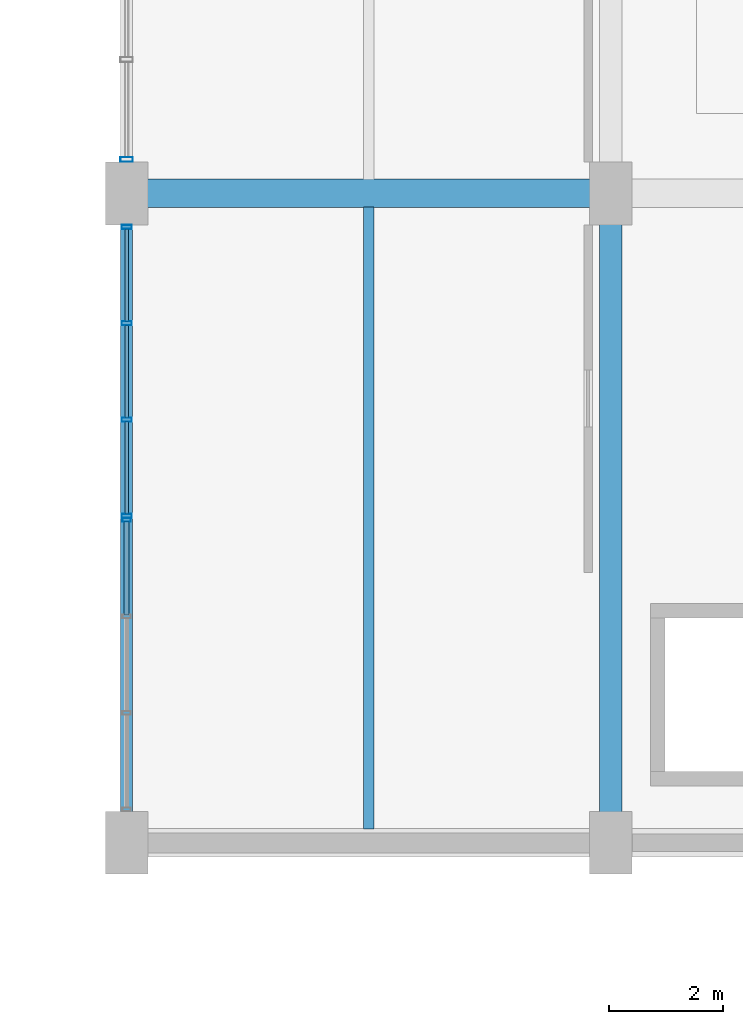
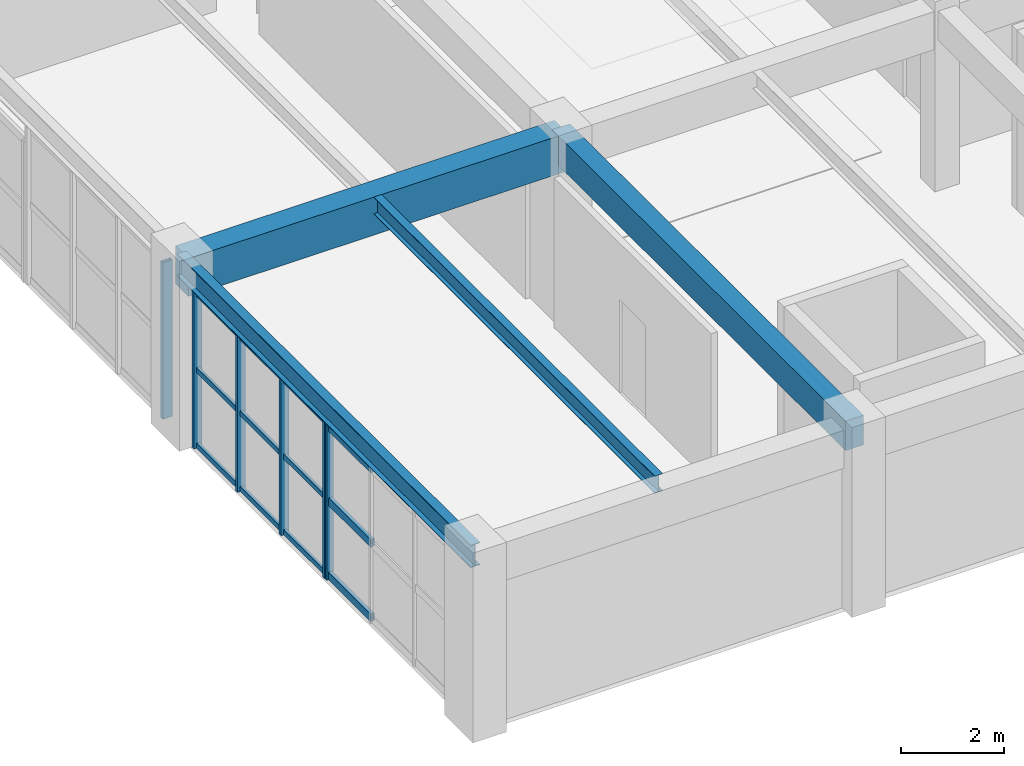
# One storey, part 20 of 80: 18 members, 4 beams, 3 elements without a shape of their own.
"""IFC4 building model written with IfcOpenShell, lengths in metres."""

from ifc_helpers import new_model, si_unit, direction, frame, origin, origin_2d, place, context, subcontext, project, spatial, rectangle, hollow_rectangle, i_section, extrude, material, layer, layer_set, material_profile, profile_set, type_object, element, aggregate, save


model = new_model("IFC4")

# Units and contexts
model_context = context("Model", 3, precision=1e-05, world=origin(), true_north=direction((0.0, 1.0)))
body_context = subcontext(model_context, "Body", "Model", "MODEL_VIEW")
ifc_project = project(units=[si_unit("LENGTHUNIT", "METRE"), si_unit("AREAUNIT", "SQUARE_METRE"), si_unit("VOLUMEUNIT", "CUBIC_METRE"), si_unit("PLANEANGLEUNIT", "RADIAN"), si_unit("MASSUNIT", "GRAM", prefix="KILO"), si_unit("POWERUNIT", "WATT"), si_unit("THERMODYNAMICTEMPERATUREUNIT", "KELVIN")], contexts=[model_context])

# Site, building, storey
site_placement = place(None, origin())
site = spatial("IfcSite", under=ifc_project, at=site_placement, CompositionType="ELEMENT")
building_placement = place(site_placement, origin())
building = spatial("IfcBuilding", under=site, at=building_placement, Name="Kelmbourne Parkland Aquatics Centre", CompositionType="ELEMENT")
storey_placement = place(building_placement, frame((0.0, 0.0, 10.199951171875)))
storey = spatial("IfcBuildingStorey", under=building, at=storey_placement, Name="L02", CompositionType="ELEMENT", Elevation=10.199951171875)

# Beams
ifc_material_1 = material(Name="Concrete C40/50", Category="concrete")
ifc_material_profile_1 = material_profile(ifc_material_1, rectangle(XDim=0.5, YDim=0.89990234375, at=origin_2d()), Name="RC 500x900")
ifc_profile_set_1 = profile_set([ifc_material_profile_1], Name="Concrete C40/50")
beam_type_1 = type_object("IfcBeamType", Name="BM-G03", PredefinedType="BEAM", material=ifc_profile_set_1)
beam_1_placement = place(storey_placement, frame((102.0, 23.60009765625, 3.81005859375), z_axis=(1.0, 0.0, 0.0), x_axis=(0.0, 1.0, 0.0)))
element("IfcBeam", 1, at=beam_1_placement, inside=storey, type_object=beam_type_1, Name="Primary girder M-N Grid 04 (L03)", PredefinedType="BEAM", context=body_context, shape_type="SweptSolid", body=[
    extrude(rectangle(XDim=0.5, YDim=0.89990234375, at=origin_2d()), origin(), (0.0, 0.0, 1.0), 8.5),
])
ifc_material_profile_2 = material_profile(ifc_material_1, rectangle(XDim=0.39990234375, YDim=0.699951171875, at=origin_2d()), Name="RC 400x700")
ifc_profile_set_2 = profile_set([ifc_material_profile_2], Name="Concrete C40/50")
beam_type_2 = type_object("IfcBeamType", Name="BM-G05", PredefinedType="BEAM", material=ifc_profile_set_2)
beam_2_placement = place(storey_placement, frame((110.5, 12.199951171875, 3.91015625), z_axis=(0.0, 1.0, 0.0), x_axis=(-1.0, 0.0, 0.0)))
element("IfcBeam", 2, at=beam_2_placement, inside=storey, type_object=beam_type_2, Name="Primary girder 03-04 Grid N (L03)", PredefinedType="BEAM", context=body_context, shape_type="SweptSolid", body=[
    extrude(rectangle(XDim=0.39990234375, YDim=0.699951171875, at=origin_2d()), origin(), (0.0, 0.0, 1.0), 11.400146484375),
])
ifc_material_2 = material(Name="Structural steel AS/NZS 3679.1 Grade 300", Category="steel")
ifc_material_profile_3 = material_profile(ifc_material_2, i_section(OverallWidth=0.177978515625, OverallDepth=0.406005859375, WebThickness=0.0078125, FlangeThickness=0.0126953125, at=origin_2d()), Name="410UB59.7")
ifc_profile_set_3 = profile_set([ifc_material_profile_3], Name="Structural steel AS/NZS 3679.1 Grade 300")
beam_type_3 = type_object("IfcBeamType", Name="BM-J01", PredefinedType="JOIST", material=ifc_profile_set_3)
beam_3_placement = place(storey_placement, frame((106.25, 12.44189453125, 4.05712890625), z_axis=(0.0, 1.0, 0.0), x_axis=(-1.0, 0.0, 0.0)))
element("IfcBeam", 3, at=beam_3_placement, inside=storey, type_object=beam_type_3, Name="Secondary floor joist M-N/03-04 #1 (L03)", PredefinedType="JOIST", context=body_context, shape_type="SweptSolid", body=[
    extrude(i_section(OverallWidth=0.177978515625, OverallDepth=0.406005859375, WebThickness=0.0078125, FlangeThickness=0.0126953125, at=origin_2d()), origin(), (0.0, 0.0, 1.0), 10.916015625),
])
ifc_material_profile_4 = material_profile(ifc_material_2, i_section(OverallWidth=0.208984375, OverallDepth=0.532958984375, WebThickness=0.01025390625, FlangeThickness=0.015625, at=origin_2d()), Name="530UB92.4")
ifc_profile_set_4 = profile_set([ifc_material_profile_4], Name="Structural steel AS/NZS 3679.1 Grade 300")
beam_type_4 = type_object("IfcBeamType", Name="BM-SP02", PredefinedType="SPANDREL", material=ifc_profile_set_4)
beam_4_placement = place(storey_placement, frame((102.0, 12.199951171875, 3.99365234375), z_axis=(0.0, 1.0, 0.0), x_axis=(-1.0, 0.0, 0.0)))
element("IfcBeam", 4, at=beam_4_placement, inside=storey, type_object=beam_type_4, Name="Perimeter spandrel 03-04 Grid M (L03)", PredefinedType="SPANDREL", context=body_context, shape_type="SweptSolid", body=[
    extrude(i_section(OverallWidth=0.208984375, OverallDepth=0.532958984375, WebThickness=0.01025390625, FlangeThickness=0.015625, at=origin_2d()), origin(), (0.0, 0.0, 1.0), 11.400146484375),
])

# Curtain wall, member
ifc_material_3 = material(Name="Thermally broken anodised aluminium framing", Category="aluminium")
ifc_layer_1 = layer(ifc_material_3, 0.179931640625)
ifc_layer_set_1 = layer_set([ifc_layer_1], Name="Thermally broken anodised aluminium framing")
curtain_wall_type_1 = type_object("IfcCurtainWallType", Name="CW-08", PredefinedType="NOTDEFINED", material=ifc_layer_set_1)
curtain_wall_1_placement = place(storey_placement, origin())
curtain_wall_1 = element("IfcCurtainWall", 5, at=curtain_wall_1_placement, inside=storey, type_object=curtain_wall_type_1, Name="Facade curtain wall CW-L02-200", PredefinedType="NOTDEFINED")
ifc_material_profile_5 = material_profile(ifc_material_3, hollow_rectangle(XDim=0.06494140625, YDim=0.14990234375, WallThickness=0.00390625, at=origin_2d()), Name="CW-M 65x150")
ifc_profile_set_5 = profile_set([ifc_material_profile_5], Name="Thermally broken anodised aluminium framing")
member_type_1 = type_object("IfcMemberType", Name="MB-MUL-1", PredefinedType="MULLION", material=ifc_profile_set_5)
member_1_placement = place(storey_placement, frame((102.0, 17.867431640625, 0.0), z_axis=(0.0, 0.0, 1.0), x_axis=(0.0, 1.0, 0.0)))
member_1 = element("IfcMember", 6, at=member_1_placement, type_object=member_type_1, Name="CW-L02-200 mullion 3", PredefinedType="MULLION", context=body_context, shape_type="SweptSolid", body=[
    extrude(hollow_rectangle(XDim=0.06494140625, YDim=0.14990234375, WallThickness=0.00390625, at=origin_2d()), origin(), (0.0, 0.0, 1.0), 3.712158203125),
])

# Curtain wall, members
ifc_layer_2 = layer(ifc_material_3, 0.179931640625)
ifc_layer_set_2 = layer_set([ifc_layer_2], Name="Thermally broken anodised aluminium framing")
curtain_wall_type_2 = type_object("IfcCurtainWallType", Name="CW-09", PredefinedType="NOTDEFINED", material=ifc_layer_set_2)
curtain_wall_2_placement = place(storey_placement, origin())
curtain_wall_2 = element("IfcCurtainWall", 7, at=curtain_wall_2_placement, inside=storey, type_object=curtain_wall_type_2, Name="Facade curtain wall CW-L02-201", PredefinedType="NOTDEFINED")
ifc_material_profile_6 = material_profile(ifc_material_3, hollow_rectangle(XDim=0.074951171875, YDim=0.179931640625, WallThickness=0.00439453125, at=origin_2d()), Name="CW-M 75x180")
ifc_profile_set_6 = profile_set([ifc_material_profile_6], Name="Thermally broken anodised aluminium framing")
member_type_2 = type_object("IfcMemberType", Name="MB-MUL-2", PredefinedType="MULLION", material=ifc_profile_set_6)
member_2_placement = place(storey_placement, frame((102.0, 17.9375, 0.0), z_axis=(0.0, 0.0, 1.0), x_axis=(0.0, 1.0, 0.0)))
member_2 = element("IfcMember", 8, at=member_2_placement, type_object=member_type_2, Name="CW-L02-201 mullion 0", PredefinedType="MULLION", context=body_context, shape_type="SweptSolid", body=[
    extrude(hollow_rectangle(XDim=0.074951171875, YDim=0.179931640625, WallThickness=0.00439453125, at=origin_2d()), origin(), (0.0, 0.0, 1.0), 3.712158203125),
])
member_3_placement = place(storey_placement, frame((102.0, 19.62841796875, 0.0), z_axis=(0.0, 0.0, 1.0), x_axis=(0.0, 1.0, 0.0)))
member_3 = element("IfcMember", 9, at=member_3_placement, type_object=member_type_2, Name="CW-L02-201 mullion 1", PredefinedType="MULLION", context=body_context, shape_type="SweptSolid", body=[
    extrude(hollow_rectangle(XDim=0.074951171875, YDim=0.179931640625, WallThickness=0.00439453125, at=origin_2d()), origin(), (0.0, 0.0, 1.0), 3.712158203125),
])
member_4_placement = place(storey_placement, frame((102.0, 21.319580078125, 0.0), z_axis=(0.0, 0.0, 1.0), x_axis=(0.0, 1.0, 0.0)))
member_4 = element("IfcMember", 10, at=member_4_placement, type_object=member_type_2, Name="CW-L02-201 mullion 2", PredefinedType="MULLION", context=body_context, shape_type="SweptSolid", body=[
    extrude(hollow_rectangle(XDim=0.074951171875, YDim=0.179931640625, WallThickness=0.00439453125, at=origin_2d()), origin(), (0.0, 0.0, 1.0), 3.712158203125),
])
member_5_placement = place(storey_placement, frame((102.0, 23.010498046875, 0.0), z_axis=(0.0, 0.0, 1.0), x_axis=(0.0, 1.0, 0.0)))
member_5 = element("IfcMember", 11, at=member_5_placement, type_object=member_type_2, Name="CW-L02-201 mullion 3", PredefinedType="MULLION", context=body_context, shape_type="SweptSolid", body=[
    extrude(hollow_rectangle(XDim=0.074951171875, YDim=0.179931640625, WallThickness=0.00439453125, at=origin_2d()), origin(), (0.0, 0.0, 1.0), 3.712158203125),
])

# Curtain wall, member
ifc_layer_3 = layer(ifc_material_3, 0.179931640625)
ifc_layer_set_3 = layer_set([ifc_layer_3], Name="Thermally broken anodised aluminium framing")
curtain_wall_type_3 = type_object("IfcCurtainWallType", Name="CW-10", PredefinedType="NOTDEFINED", material=ifc_layer_set_3)
curtain_wall_3_placement = place(storey_placement, origin())
curtain_wall_3 = element("IfcCurtainWall", 12, at=curtain_wall_3_placement, inside=storey, type_object=curtain_wall_type_3, Name="Facade curtain wall CW-L02-202", PredefinedType="NOTDEFINED")
ifc_material_profile_7 = material_profile(ifc_material_3, hollow_rectangle(XDim=0.0849609375, YDim=0.219970703125, WallThickness=0.0048828125, at=origin_2d()), Name="CW-M 85x220")
ifc_profile_set_7 = profile_set([ifc_material_profile_7], Name="Thermally broken anodised aluminium framing")
member_type_3 = type_object("IfcMemberType", Name="MB-MUL-3", PredefinedType="MULLION", material=ifc_profile_set_7)
member_6_placement = place(storey_placement, frame((102.0, 24.194580078125, 0.0), z_axis=(0.0, 0.0, 1.0), x_axis=(0.0, 1.0, 0.0)))
member_6 = element("IfcMember", 13, at=member_6_placement, type_object=member_type_3, Name="CW-L02-202 mullion 0", PredefinedType="MULLION", context=body_context, shape_type="SweptSolid", body=[
    extrude(hollow_rectangle(XDim=0.0849609375, YDim=0.219970703125, WallThickness=0.0048828125, at=origin_2d()), origin(), (0.0, 0.0, 1.0), 3.712158203125),
])
aggregate(curtain_wall_3, [member_6])

# Member
ifc_material_profile_8 = material_profile(ifc_material_3, hollow_rectangle(XDim=0.06494140625, YDim=0.1201171875, WallThickness=0.00341796875, at=origin_2d()), Name="CW-T 65x120")
ifc_profile_set_8 = profile_set([ifc_material_profile_8], Name="Thermally broken anodised aluminium framing")
member_type_4 = type_object("IfcMemberType", Name="MB-TRN-1", PredefinedType="USERDEFINED", material=ifc_profile_set_8)
member_7_placement = place(storey_placement, frame((102.0, 17.970947265625, 0.06298828125), z_axis=(0.0, 1.0, 0.0), x_axis=(-1.0, 0.0, 0.0)))
member_7 = element("IfcMember", 14, at=member_7_placement, type_object=member_type_4, Name="CW-L02-201 transom 0-0", ObjectType="TRANSOM", PredefinedType="USERDEFINED", context=body_context, shape_type="SweptSolid", body=[
    extrude(hollow_rectangle(XDim=0.06494140625, YDim=0.1201171875, WallThickness=0.00341796875, at=origin_2d()), origin(), (0.0, 0.0, 1.0), 1.6240234375),
])

member_8_placement = place(storey_placement, frame((102.0, 19.662109375, 0.06298828125), z_axis=(0.0, 1.0, 0.0), x_axis=(-1.0, 0.0, 0.0)))
member_8 = element("IfcMember", 15, at=member_8_placement, type_object=member_type_4, Name="CW-L02-201 transom 0-1", ObjectType="TRANSOM", PredefinedType="USERDEFINED", context=body_context, shape_type="SweptSolid", body=[
    extrude(hollow_rectangle(XDim=0.06494140625, YDim=0.1201171875, WallThickness=0.00341796875, at=origin_2d()), origin(), (0.0, 0.0, 1.0), 1.623779296875),
])

member_9_placement = place(storey_placement, frame((102.0, 21.35302734375, 0.06298828125), z_axis=(0.0, 1.0, 0.0), x_axis=(-1.0, 0.0, 0.0)))
member_9 = element("IfcMember", 16, at=member_9_placement, type_object=member_type_4, Name="CW-L02-201 transom 0-2", ObjectType="TRANSOM", PredefinedType="USERDEFINED", context=body_context, shape_type="SweptSolid", body=[
    extrude(hollow_rectangle(XDim=0.06494140625, YDim=0.1201171875, WallThickness=0.00341796875, at=origin_2d()), origin(), (0.0, 0.0, 1.0), 1.6240234375),
])

member_10_placement = place(storey_placement, frame((102.0, 17.970947265625, 1.85595703125), z_axis=(0.0, 1.0, 0.0), x_axis=(-1.0, 0.0, 0.0)))
member_10 = element("IfcMember", 17, at=member_10_placement, type_object=member_type_4, Name="CW-L02-201 transom 1-0", ObjectType="TRANSOM", PredefinedType="USERDEFINED", context=body_context, shape_type="SweptSolid", body=[
    extrude(hollow_rectangle(XDim=0.06494140625, YDim=0.1201171875, WallThickness=0.00341796875, at=origin_2d()), origin(), (0.0, 0.0, 1.0), 1.6240234375),
])

member_11_placement = place(storey_placement, frame((102.0, 19.662109375, 1.85595703125), z_axis=(0.0, 1.0, 0.0), x_axis=(-1.0, 0.0, 0.0)))
member_11 = element("IfcMember", 18, at=member_11_placement, type_object=member_type_4, Name="CW-L02-201 transom 1-1", ObjectType="TRANSOM", PredefinedType="USERDEFINED", context=body_context, shape_type="SweptSolid", body=[
    extrude(hollow_rectangle(XDim=0.06494140625, YDim=0.1201171875, WallThickness=0.00341796875, at=origin_2d()), origin(), (0.0, 0.0, 1.0), 1.623779296875),
])

member_12_placement = place(storey_placement, frame((102.0, 21.35302734375, 1.85595703125), z_axis=(0.0, 1.0, 0.0), x_axis=(-1.0, 0.0, 0.0)))
member_12 = element("IfcMember", 19, at=member_12_placement, type_object=member_type_4, Name="CW-L02-201 transom 1-2", ObjectType="TRANSOM", PredefinedType="USERDEFINED", context=body_context, shape_type="SweptSolid", body=[
    extrude(hollow_rectangle(XDim=0.06494140625, YDim=0.1201171875, WallThickness=0.00341796875, at=origin_2d()), origin(), (0.0, 0.0, 1.0), 1.6240234375),
])

member_13_placement = place(storey_placement, frame((102.0, 17.970947265625, 3.649169921875), z_axis=(0.0, 1.0, 0.0), x_axis=(-1.0, 0.0, 0.0)))
member_13 = element("IfcMember", 20, at=member_13_placement, type_object=member_type_4, Name="CW-L02-201 transom 2-0", ObjectType="TRANSOM", PredefinedType="USERDEFINED", context=body_context, shape_type="SweptSolid", body=[
    extrude(hollow_rectangle(XDim=0.06494140625, YDim=0.1201171875, WallThickness=0.00341796875, at=origin_2d()), origin(), (0.0, 0.0, 1.0), 1.6240234375),
])

member_14_placement = place(storey_placement, frame((102.0, 19.662109375, 3.649169921875), z_axis=(0.0, 1.0, 0.0), x_axis=(-1.0, 0.0, 0.0)))
member_14 = element("IfcMember", 21, at=member_14_placement, type_object=member_type_4, Name="CW-L02-201 transom 2-1", ObjectType="TRANSOM", PredefinedType="USERDEFINED", context=body_context, shape_type="SweptSolid", body=[
    extrude(hollow_rectangle(XDim=0.06494140625, YDim=0.1201171875, WallThickness=0.00341796875, at=origin_2d()), origin(), (0.0, 0.0, 1.0), 1.623779296875),
])

member_15_placement = place(storey_placement, frame((102.0, 21.35302734375, 3.649169921875), z_axis=(0.0, 1.0, 0.0), x_axis=(-1.0, 0.0, 0.0)))
member_15 = element("IfcMember", 22, at=member_15_placement, type_object=member_type_4, Name="CW-L02-201 transom 2-2", ObjectType="TRANSOM", PredefinedType="USERDEFINED", context=body_context, shape_type="SweptSolid", body=[
    extrude(hollow_rectangle(XDim=0.06494140625, YDim=0.1201171875, WallThickness=0.00341796875, at=origin_2d()), origin(), (0.0, 0.0, 1.0), 1.6240234375),
])

aggregate(curtain_wall_2, [member_2, member_3, member_4, member_5, member_7, member_8, member_9, member_10, member_11, member_12, member_13, member_14, member_15])

ifc_material_profile_9 = material_profile(ifc_material_3, hollow_rectangle(XDim=0.0849609375, YDim=0.179931640625, WallThickness=0.00439453125, at=origin_2d()), Name="CW-T 85x180")
ifc_profile_set_9 = profile_set([ifc_material_profile_9], Name="Thermally broken anodised aluminium framing")
member_type_5 = type_object("IfcMemberType", Name="MB-TRN-3", PredefinedType="USERDEFINED", material=ifc_profile_set_9)
member_16_placement = place(storey_placement, frame((102.0, 16.20166015625, 0.093017578125), z_axis=(0.0, 1.0, 0.0), x_axis=(-1.0, 0.0, 0.0)))
member_16 = element("IfcMember", 23, at=member_16_placement, type_object=member_type_5, Name="CW-L02-200 transom 0-2", ObjectType="TRANSOM", PredefinedType="USERDEFINED", context=body_context, shape_type="SweptSolid", body=[
    extrude(hollow_rectangle(XDim=0.0849609375, YDim=0.179931640625, WallThickness=0.00439453125, at=origin_2d()), origin(), (0.0, 0.0, 1.0), 1.637451171875),
])

member_17_placement = place(storey_placement, frame((102.0, 16.20166015625, 1.85595703125), z_axis=(0.0, 1.0, 0.0), x_axis=(-1.0, 0.0, 0.0)))
member_17 = element("IfcMember", 24, at=member_17_placement, type_object=member_type_5, Name="CW-L02-200 transom 1-2", ObjectType="TRANSOM", PredefinedType="USERDEFINED", context=body_context, shape_type="SweptSolid", body=[
    extrude(hollow_rectangle(XDim=0.0849609375, YDim=0.179931640625, WallThickness=0.00439453125, at=origin_2d()), origin(), (0.0, 0.0, 1.0), 1.637451171875),
])

member_18_placement = place(storey_placement, frame((102.0, 16.20166015625, 3.619140625), z_axis=(0.0, 1.0, 0.0), x_axis=(-1.0, 0.0, 0.0)))
member_18 = element("IfcMember", 25, at=member_18_placement, type_object=member_type_5, Name="CW-L02-200 transom 2-2", ObjectType="TRANSOM", PredefinedType="USERDEFINED", context=body_context, shape_type="SweptSolid", body=[
    extrude(hollow_rectangle(XDim=0.0849609375, YDim=0.179931640625, WallThickness=0.00439453125, at=origin_2d()), origin(), (0.0, 0.0, 1.0), 1.637451171875),
])

aggregate(curtain_wall_1, [member_1, member_16, member_17, member_18])

save(model, "model.ifc")
